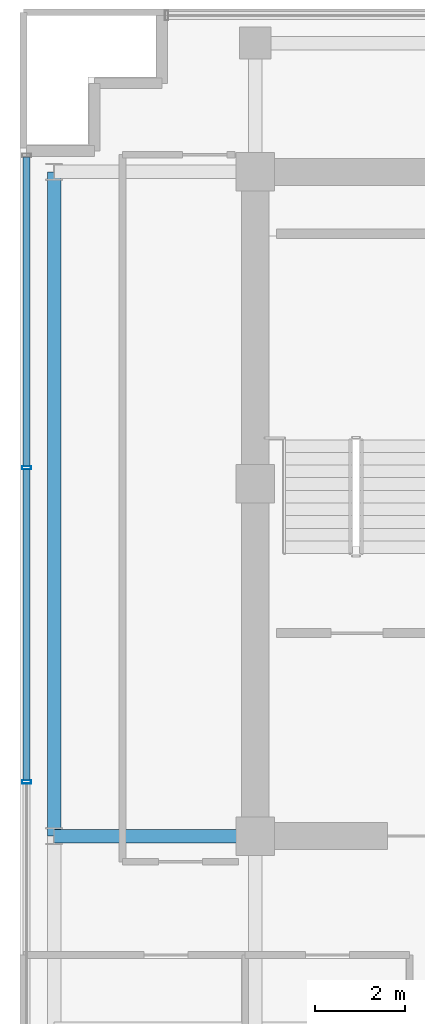
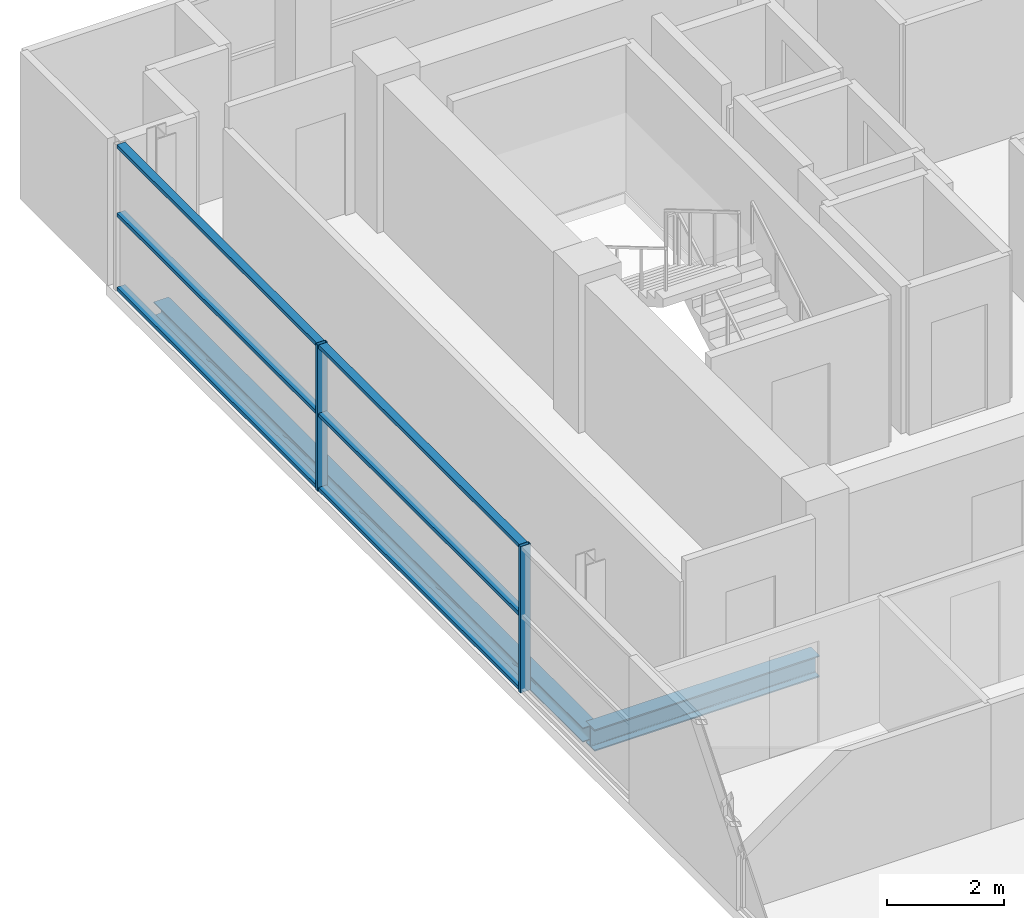
# One storey, part 7 of 22: 8 members, 2 beams, 1 element without a shape of its own.
"""IFC4 building model written with IfcOpenShell, lengths in metres."""

from ifc_helpers import new_model, si_unit, direction, frame, origin, origin_2d, place, context, subcontext, project, spatial, hollow_rectangle, i_section, extrude, source, transform, mapped, material, layer, layer_set, material_profile, profile_set, type_object, element, aggregate, save


model = new_model("IFC4")

# Units and contexts
model_context = context("Model", 3, precision=1e-05, world=origin(), true_north=direction((0.0, 1.0)))
body_context = subcontext(model_context, "Body", "Model", "MODEL_VIEW")
ifc_project = project(units=[si_unit("LENGTHUNIT", "METRE"), si_unit("AREAUNIT", "SQUARE_METRE"), si_unit("VOLUMEUNIT", "CUBIC_METRE"), si_unit("PLANEANGLEUNIT", "RADIAN"), si_unit("MASSUNIT", "GRAM", prefix="KILO")], contexts=[model_context])

# Site, building, storey
site_placement = place(None, origin())
site = spatial("IfcSite", under=ifc_project, at=site_placement, CompositionType="ELEMENT")
building_placement = place(site_placement, origin())
building = spatial("IfcBuilding", under=site, at=building_placement, Name="Zarnakvel Exchange Tower", CompositionType="ELEMENT")
storey_placement = place(building_placement, frame((0.0, 0.0, 251.800048828125)))
storey = spatial("IfcBuildingStorey", under=building, at=storey_placement, Name="L71", CompositionType="ELEMENT", Elevation=251.800048828125)

# Beams
ifc_material_1 = material(Name="Steel S355", Category="steel")
ifc_material_profile_1 = material_profile(ifc_material_1, i_section(OverallWidth=0.300048828125, OverallDepth=0.449951171875, WebThickness=0.013916015625, FlangeThickness=0.02587890625, FilletRadius=0.027099609375, at=origin_2d()))
ifc_profile_set_1 = profile_set([ifc_material_profile_1], Name="Steel S355")
beam_type_1 = type_object("IfcBeamType", Name="G-07", PredefinedType="BEAM", material=ifc_profile_set_1)
beam_1_placement = place(storey_placement, frame((-18.85009765625, -1.199951171875, -0.449951171875), z_axis=(1.0, 0.0, 0.0), x_axis=(0.0, 1.0, 0.0)))
element("IfcBeam", 1, at=beam_1_placement, inside=storey, type_object=beam_type_1, Name="L71 Tower E-W Frame Beam", PredefinedType="BEAM", context=body_context, shape_type="SweptSolid", body=[
    extrude(i_section(OverallWidth=0.300048828125, OverallDepth=0.449951171875, WebThickness=0.013916015625, FlangeThickness=0.02587890625, FilletRadius=0.027099609375, at=origin_2d()), origin(), (0.0, 0.0, 1.0), 4.4501953125),
])
ifc_material_profile_2 = material_profile(ifc_material_1, i_section(OverallWidth=0.300048828125, OverallDepth=0.300048828125, WebThickness=0.010986328125, FlangeThickness=0.01904296875, FilletRadius=0.027099609375, at=origin_2d()))
ifc_profile_set_2 = profile_set([ifc_material_profile_2], Name="Steel S355")
beam_type_2 = type_object("IfcBeamType", Name="SP-03", PredefinedType="SPANDREL", material=ifc_profile_set_2)
beam_2_placement = place(storey_placement, frame((-18.85009765625, -1.199951171875, -0.375), z_axis=(0.0, 1.0, 0.0), x_axis=(-1.0, 0.0, 0.0)))
element("IfcBeam", 2, at=beam_2_placement, inside=storey, type_object=beam_type_2, Name="L71 Tower N-S Frame Beam", PredefinedType="SPANDREL", context=body_context, shape_type="SweptSolid", body=[
    extrude(i_section(OverallWidth=0.300048828125, OverallDepth=0.300048828125, WebThickness=0.010986328125, FlangeThickness=0.01904296875, FilletRadius=0.027099609375, at=origin_2d()), origin(), (0.0, 0.0, 1.0), 14.699951171875),
])

# Curtain wall, members
ifc_material_2 = material(Name="Architectural Bronze Anodised Aluminium", Category="aluminium")
ifc_layer = layer(ifc_material_2, 0.199951171875)
ifc_layer_set = layer_set([ifc_layer], Name="Architectural Bronze Anodised Aluminium")
curtain_wall_type = type_object("IfcCurtainWallType", Name="CW-04", PredefinedType="NOTDEFINED", material=ifc_layer_set)
curtain_wall_placement = place(storey_placement, origin())
curtain_wall = element("IfcCurtainWall", 3, at=curtain_wall_placement, inside=storey, type_object=curtain_wall_type, Name="L71 Curtain Wall CW-L71-W1 (CW-04)", PredefinedType="NOTDEFINED")
ifc_material_profile_3 = material_profile(ifc_material_2, hollow_rectangle(XDim=0.199951171875, YDim=0.074951171875, WallThickness=0.0048828125, at=origin_2d()))
ifc_profile_set_3 = profile_set([ifc_material_profile_3], Name="Architectural Bronze Anodised Aluminium")
member_type_1 = type_object("IfcMemberType", Name="CWM-04", PredefinedType="MULLION", material=ifc_profile_set_3)
shared_shape_1 = source(origin(), body_context, "Body", "SweptSolid", [
    extrude(hollow_rectangle(XDim=0.199951171875, YDim=0.074951171875, WallThickness=0.0048828125, at=origin_2d()), origin(), (0.0, 0.0, 1.0), 3.054931640625),
])
member_1_placement = place(storey_placement, frame((-19.4599609375, 0.0, 0.0), z_axis=(0.0, 0.0, 1.0), x_axis=(-1.0, 0.0, 0.0)))
member_1 = element("IfcMember", 4, at=member_1_placement, type_object=member_type_1, Name="CW-04 mullion 3", PredefinedType="MULLION", context=body_context, shape_type="MappedRepresentation", body=[
    mapped(shared_shape_1, transform((0.0, 0.0, 0.0), x_axis=(1.0, 0.0, 0.0), y_axis=(0.0, 1.0, 0.0), z_axis=(0.0, 0.0, 1.0), scale=1.0)),
])
member_2_placement = place(storey_placement, frame((-19.4599609375, 6.949951171875, 0.0), z_axis=(0.0, 0.0, 1.0), x_axis=(-1.0, 0.0, 0.0)))
member_2 = element("IfcMember", 5, at=member_2_placement, type_object=member_type_1, Name="CW-04 mullion 4", PredefinedType="MULLION", context=body_context, shape_type="MappedRepresentation", body=[
    mapped(shared_shape_1, transform((0.0, 0.0, 0.0), x_axis=(1.0, 0.0, 0.0), y_axis=(0.0, 1.0, 0.0), z_axis=(0.0, 0.0, 1.0), scale=1.0)),
])
ifc_material_profile_4 = material_profile(ifc_material_2, hollow_rectangle(XDim=0.159912109375, YDim=0.074951171875, WallThickness=0.00390625, at=origin_2d()))
ifc_profile_set_4 = profile_set([ifc_material_profile_4], Name="Architectural Bronze Anodised Aluminium")
member_type_2 = type_object("IfcMemberType", Name="CWT-04", PredefinedType="USERDEFINED", material=ifc_profile_set_4)
shared_shape_2 = source(origin(), body_context, "Body", "SweptSolid", [
    extrude(hollow_rectangle(XDim=0.159912109375, YDim=0.074951171875, WallThickness=0.00390625, at=origin_2d()), origin(), (0.0, 0.0, 1.0), 6.83740234375),
])
member_3_placement = place(storey_placement, frame((-19.4599609375, 6.987548828125, 0.037353515625), z_axis=(0.0, 1.0, 0.0), x_axis=(-1.0, 0.0, 0.0)))
member_3 = element("IfcMember", 6, at=member_3_placement, type_object=member_type_2, Name="CW-04 transom 4.1", ObjectType="TRANSOM", PredefinedType="USERDEFINED", context=body_context, shape_type="MappedRepresentation", body=[
    mapped(shared_shape_2, transform((0.0, 0.0, 0.0), x_axis=(1.0, 0.0, 0.0), y_axis=(0.0, 1.0, 0.0), z_axis=(0.0, 0.0, 1.0), scale=1.0)),
])
member_4_placement = place(storey_placement, frame((-19.4599609375, 6.987548828125, 1.588623046875), z_axis=(0.0, 1.0, 0.0), x_axis=(-1.0, 0.0, 0.0)))
member_4 = element("IfcMember", 7, at=member_4_placement, type_object=member_type_2, Name="CW-04 transom 4.2", ObjectType="TRANSOM", PredefinedType="USERDEFINED", context=body_context, shape_type="MappedRepresentation", body=[
    mapped(shared_shape_2, transform((0.0, 0.0, 0.0), x_axis=(1.0, 0.0, 0.0), y_axis=(0.0, 1.0, 0.0), z_axis=(0.0, 0.0, 1.0), scale=1.0)),
])
member_5_placement = place(storey_placement, frame((-19.4599609375, 6.987548828125, 3.017333984375), z_axis=(0.0, 1.0, 0.0), x_axis=(-1.0, 0.0, 0.0)))
member_5 = element("IfcMember", 8, at=member_5_placement, type_object=member_type_2, Name="CW-04 transom 4.3", ObjectType="TRANSOM", PredefinedType="USERDEFINED", context=body_context, shape_type="MappedRepresentation", body=[
    mapped(shared_shape_2, transform((0.0, 0.0, 0.0), x_axis=(1.0, 0.0, 0.0), y_axis=(0.0, 1.0, 0.0), z_axis=(0.0, 0.0, 1.0), scale=1.0)),
])
shared_shape_3 = source(origin(), body_context, "Body", "SweptSolid", [
    extrude(hollow_rectangle(XDim=0.159912109375, YDim=0.074951171875, WallThickness=0.00390625, at=origin_2d()), origin(), (0.0, 0.0, 1.0), 6.875),
])
member_6_placement = place(storey_placement, frame((-19.4599609375, 0.03759765625, 0.037353515625), z_axis=(0.0, 1.0, 0.0), x_axis=(-1.0, 0.0, 0.0)))
member_6 = element("IfcMember", 9, at=member_6_placement, type_object=member_type_2, Name="CW-04 transom 3.1", ObjectType="TRANSOM", PredefinedType="USERDEFINED", context=body_context, shape_type="MappedRepresentation", body=[
    mapped(shared_shape_3, transform((0.0, 0.0, 0.0), x_axis=(1.0, 0.0, 0.0), y_axis=(0.0, 1.0, 0.0), z_axis=(0.0, 0.0, 1.0), scale=1.0)),
])
member_7_placement = place(storey_placement, frame((-19.4599609375, 0.03759765625, 1.588623046875), z_axis=(0.0, 1.0, 0.0), x_axis=(-1.0, 0.0, 0.0)))
member_7 = element("IfcMember", 10, at=member_7_placement, type_object=member_type_2, Name="CW-04 transom 3.2", ObjectType="TRANSOM", PredefinedType="USERDEFINED", context=body_context, shape_type="MappedRepresentation", body=[
    mapped(shared_shape_3, transform((0.0, 0.0, 0.0), x_axis=(1.0, 0.0, 0.0), y_axis=(0.0, 1.0, 0.0), z_axis=(0.0, 0.0, 1.0), scale=1.0)),
])
member_8_placement = place(storey_placement, frame((-19.4599609375, 0.03759765625, 3.017333984375), z_axis=(0.0, 1.0, 0.0), x_axis=(-1.0, 0.0, 0.0)))
member_8 = element("IfcMember", 11, at=member_8_placement, type_object=member_type_2, Name="CW-04 transom 3.3", ObjectType="TRANSOM", PredefinedType="USERDEFINED", context=body_context, shape_type="MappedRepresentation", body=[
    mapped(shared_shape_3, transform((0.0, 0.0, 0.0), x_axis=(1.0, 0.0, 0.0), y_axis=(0.0, 1.0, 0.0), z_axis=(0.0, 0.0, 1.0), scale=1.0)),
])
aggregate(curtain_wall, [member_1, member_2, member_6, member_7, member_8, member_3, member_4, member_5])

save(model, "model.ifc")
